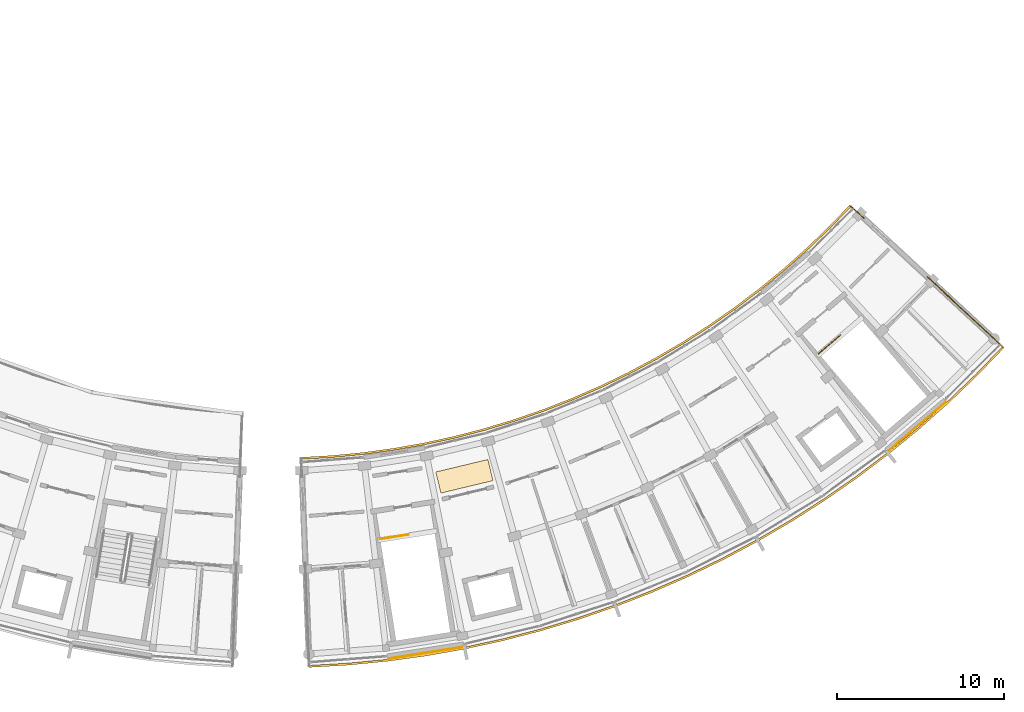
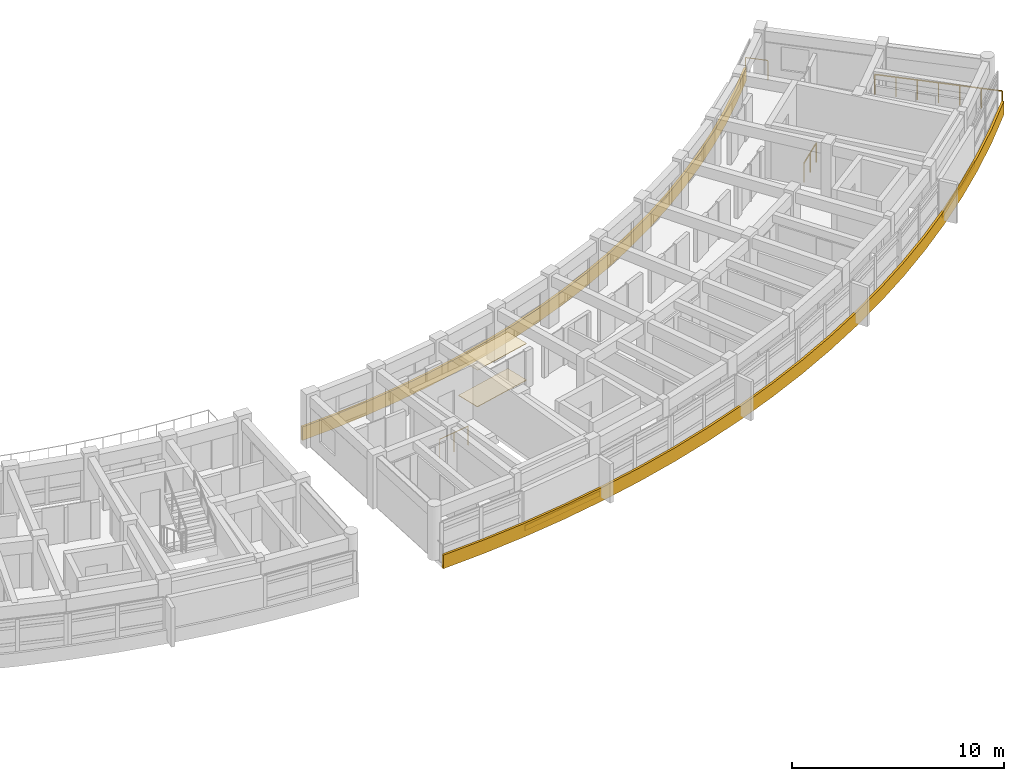
# One storey, part 54 of 54: 6 railings, 4 coverings.
"""IFC4 building model written with IfcOpenShell, lengths in metres."""

from ifc_helpers import new_model, si_unit, direction, frame, origin, origin_2d, place, context, subcontext, project, spatial, polyline, rectangle, circle, outline, extrude, material, layer, layer_set, type_object, element, save


model = new_model("IFC4")

# Units and contexts
model_context = context("Model", 3, precision=1e-05, world=origin(), true_north=direction((0.0, 1.0)))
body_context = subcontext(model_context, "Body", "Model", "MODEL_VIEW")
ifc_project = project(units=[si_unit("LENGTHUNIT", "METRE"), si_unit("AREAUNIT", "SQUARE_METRE"), si_unit("VOLUMEUNIT", "CUBIC_METRE"), si_unit("PLANEANGLEUNIT", "RADIAN"), si_unit("MASSUNIT", "GRAM", prefix="KILO")], contexts=[model_context])

# Site, building, storey
site_placement = place(None, origin())
site = spatial("IfcSite", under=ifc_project, at=site_placement, CompositionType="ELEMENT")
building_placement = place(site_placement, origin())
building = spatial("IfcBuilding", under=site, at=building_placement, Name="Zimvara Arc Housing Community", CompositionType="ELEMENT")
storey_placement = place(building_placement, frame((0.0, 0.0, 23.60009765625)))
storey = spatial("IfcBuildingStorey", under=building, at=storey_placement, Name="L07", CompositionType="ELEMENT", Elevation=23.60009765625)

# Coverings
ifc_material_1 = material(Name="Pale-Gold Anodised Aluminium Cladding", Category="aluminium")
ifc_layer_1 = layer(ifc_material_1, 0.0400390625)
ifc_layer_set_1 = layer_set([ifc_layer_1], Name="Pale-Gold Anodised Aluminium Cladding")
covering_type_1 = type_object("IfcCoveringType", Name="CLD-GOLD-01", PredefinedType="CLADDING", material=ifc_layer_set_1)
covering_1_placement = place(storey_placement, frame((164.56298828125, 64.605224609375, 0.009765625), z_axis=(0.0, 0.0, 1.0), x_axis=(0.760971293982, 0.648785549882, 0.0)))
element("IfcCovering", 1, at=covering_1_placement, inside=storey, type_object=covering_type_1, Name="cld:blkD:L07:out:b8", PredefinedType="CLADDING", context=body_context, shape_type="SweptSolid", body=[
    extrude(rectangle(XDim=4.5625, YDim=0.0400390625, at=origin_2d()), origin(), (0.0, 0.0, 1.0), 0.300048828125),
])
ifc_material_2 = material(Name="Pale-Gold Anodised Aluminium Cladding", Category="aluminium")
ifc_layer_2 = layer(ifc_material_2, 0.044921875)
ifc_layer_set_2 = layer_set([ifc_layer_2], Name="Pale-Gold Anodised Aluminium Cladding")
covering_type_2 = type_object("IfcCoveringType", Name="CLD-GOLD-02", PredefinedType="CLADDING", material=ifc_layer_set_2)
covering_2_placement = place(storey_placement, frame((135.23583984375, 51.088623046875, 0.009765625), z_axis=(0.0, 0.0, 1.0), x_axis=(0.987824479318, 0.155572484907, 0.0)))
element("IfcCovering", 2, at=covering_2_placement, inside=storey, type_object=covering_type_2, Name="cld:blkD:L07:out:b1", PredefinedType="CLADDING", context=body_context, shape_type="SweptSolid", body=[
    extrude(rectangle(XDim=4.5625, YDim=0.044921875, at=origin_2d()), origin(), (0.0, 0.0, 1.0), 0.300048828125),
])
ifc_material_3 = material(Name="Perforated Acoustic Ceiling Board")
ifc_layer_3 = layer(ifc_material_3, 0.030029296875)
ifc_layer_set_3 = layer_set([ifc_layer_3], Name="Perforated Acoustic Ceiling Board")
covering_type_3 = type_object("IfcCoveringType", Name="COV-CEIL-04", PredefinedType="CEILING", material=ifc_layer_set_3)
covering_3_placement = place(storey_placement, frame((137.53955078125, 61.639404296875, 2.10986328125), z_axis=(0.0, 0.0, 1.0), x_axis=(0.232596722241, -0.972573269632, 0.0)))
element("IfcCovering", 3, at=covering_3_placement, inside=storey, type_object=covering_type_3, Name="ceil:blkD:L07", PredefinedType="CEILING", context=body_context, shape_type="SweptSolid", body=[
    extrude(rectangle(XDim=1.300048828125, YDim=3.199951171875, at=origin_2d()), origin(), (0.0, 0.0, 1.0), 0.030029296875),
])
ifc_material_4 = material(Name="Polished Coastal Sand Terrazzo")
ifc_layer_4 = layer(ifc_material_4, 0.031982421875)
ifc_layer_set_4 = layer_set([ifc_layer_4], Name="Polished Coastal Sand Terrazzo")
covering_type_4 = type_object("IfcCoveringType", Name="COV-FLOR-04", PredefinedType="FLOORING", material=ifc_layer_set_4)
covering_4_placement = place(storey_placement, frame((137.53955078125, 61.639404296875, 0.0), z_axis=(0.0, 0.0, 1.0), x_axis=(0.232596722241, -0.972573269632, 0.0)))
element("IfcCovering", 4, at=covering_4_placement, inside=storey, type_object=covering_type_4, Name="flor:blkD:L07", PredefinedType="FLOORING", context=body_context, shape_type="SweptSolid", body=[
    extrude(rectangle(XDim=1.300048828125, YDim=3.199951171875, at=origin_2d()), origin(), (0.0, 0.0, 1.0), 0.031982421875),
])

# Railings
ifc_material_5 = material(Name="Anodised Aluminium AW-6063", Category="aluminium")
railing_type_1 = type_object("IfcRailingType", Name="RLG-BAL-1120", PredefinedType="BALUSTRADE", material=ifc_material_5)
railing_1_placement = place(storey_placement, frame((132.504150390625, 57.892333984375, 0.0)))
element("IfcRailing", 5, at=railing_1_placement, inside=storey, type_object=railing_type_1, Name="L07 ST-D1 top well guard 1", PredefinedType="BALUSTRADE", context=body_context, shape_type="SweptSolid", body=[
    extrude(circle(Radius=0.02392578125, at=origin_2d()), frame((0.0, 0.0, 1.09619140625), z_axis=(0.987823889533, 0.155576229764, 0.0), x_axis=(-0.155576229764, 0.987823889533, 0.0)), (0.0, 0.0, 1.0), 1.719970703125),
    extrude(circle(Radius=0.02099609375, at=origin_2d()), origin(), (0.0, 0.0, 1.0), 1.072021484375),
    extrude(circle(Radius=0.02099609375, at=origin_2d()), frame((0.849609375, 0.1337890625, 0.0)), (0.0, 0.0, 1.0), 1.072021484375),
    extrude(circle(Radius=0.02099609375, at=origin_2d()), frame((1.698974609375, 0.267578125, 0.0)), (0.0, 0.0, 1.0), 1.072021484375),
])
railing_2_placement = place(storey_placement, frame((158.69580078125, 68.958984375, 0.0)))
element("IfcRailing", 6, at=railing_2_placement, inside=storey, type_object=railing_type_1, Name="L07 ST-D2 top well guard 1", PredefinedType="BALUSTRADE", context=body_context, shape_type="SweptSolid", body=[
    extrude(circle(Radius=0.02392578125, at=origin_2d()), frame((0.0, 0.0, 1.09619140625), z_axis=(0.760947308588, 0.648813681693, 0.0), x_axis=(-0.648813681693, 0.760947308588, 0.0)), (0.0, 0.0, 1.0), 1.719970703125),
    extrude(circle(Radius=0.02099609375, at=origin_2d()), origin(), (0.0, 0.0, 1.0), 1.072021484375),
    extrude(circle(Radius=0.02099609375, at=origin_2d()), frame((0.654296875, 0.55810546875, 0.0)), (0.0, 0.0, 1.0), 1.072021484375),
    extrude(circle(Radius=0.02099609375, at=origin_2d()), frame((1.308837890625, 1.115966796875, 0.0)), (0.0, 0.0, 1.0), 1.072021484375),
])
ifc_material_6 = material(Name="Anodised Aluminium AW-6063", Category="aluminium")
railing_type_2 = type_object("IfcRailingType", Name="RLG-BAL-1150", PredefinedType="BALUSTRADE", material=ifc_material_6)
railing_3_placement = place(storey_placement, frame((160.612060546875, 77.790283203125, 0.0)))
element("IfcRailing", 7, at=railing_3_placement, inside=storey, type_object=railing_type_2, Name="rlg:blkD:L07:gable_in:gN", PredefinedType="BALUSTRADE", context=body_context, shape_type="SweptSolid", body=[
    extrude(circle(Radius=0.02392578125, at=origin_2d()), frame((0.0, 0.0, 1.1259765625), z_axis=(0.733823282614, -0.679340407965, 0.0), x_axis=(0.679340407965, 0.733823282614, 0.0)), (0.0, 0.0, 1.0), 1.079833984375),
    extrude(circle(Radius=0.02099609375, at=origin_2d()), origin(), (0.0, 0.0, 1.0), 1.101806640625),
    extrude(circle(Radius=0.02099609375, at=origin_2d()), frame((0.79248046875, -0.733642578125, 0.0)), (0.0, 0.0, 1.0), 1.101806640625),
])
railing_4_placement = place(storey_placement, frame((165.1904296875, 73.550537109375, 0.0)))
element("IfcRailing", 8, at=railing_4_placement, inside=storey, type_object=railing_type_2, Name="rlg:blkD:L07:gable_out:gN", PredefinedType="BALUSTRADE", context=body_context, shape_type="SweptSolid", body=[
    extrude(circle(Radius=0.02392578125, at=origin_2d()), frame((0.0, 0.0, 1.1259765625), z_axis=(0.733734329214, -0.67943648278, 0.0), x_axis=(0.67943648278, 0.733734329214, 0.0)), (0.0, 0.0, 1.0), 6.159912109375),
    extrude(circle(Radius=0.02099609375, at=origin_2d()), origin(), (0.0, 0.0, 1.0), 1.101806640625),
    extrude(circle(Radius=0.02099609375, at=origin_2d()), frame((0.75341796875, -0.697509765625, 0.0)), (0.0, 0.0, 1.0), 1.101806640625),
    extrude(circle(Radius=0.02099609375, at=origin_2d()), frame((1.506591796875, -1.39501953125, 0.0)), (0.0, 0.0, 1.0), 1.101806640625),
    extrude(circle(Radius=0.02099609375, at=origin_2d()), frame((2.259765625, -2.0927734375, 0.0)), (0.0, 0.0, 1.0), 1.101806640625),
    extrude(circle(Radius=0.02099609375, at=origin_2d()), frame((3.01318359375, -2.790283203125, 0.0)), (0.0, 0.0, 1.0), 1.101806640625),
    extrude(circle(Radius=0.02099609375, at=origin_2d()), frame((3.7666015625, -3.48779296875, 0.0)), (0.0, 0.0, 1.0), 1.101806640625),
    extrude(circle(Radius=0.02099609375, at=origin_2d()), frame((4.519775390625, -4.185302734375, 0.0)), (0.0, 0.0, 1.0), 1.101806640625),
])
ifc_material_7 = material(Name="Pale-Gold Anodised Aluminium AW-6063", Category="aluminium")
railing_type_3 = type_object("IfcRailingType", Name="RLG-FAS-780", PredefinedType="BALUSTRADE", material=ifc_material_7)
railing_5_placement = place(storey_placement, frame((0.0, 0.0, -0.22021484375)))
element("IfcRailing", 9, at=railing_5_placement, inside=storey, type_object=railing_type_3, Name="rlg:blkD:L07:gold_out", PredefinedType="BALUSTRADE", context=body_context, shape_type="SweptSolid", body=[
    extrude(outline(polyline([(128.27099609375, 50.223876953125), (130.610595703125, 50.35986328125), (132.94287109375, 50.587646484375), (135.2646484375, 50.90673828125), (137.572021484375, 51.316650390625), (139.861328125, 51.81689453125), (142.12939453125, 52.406494140625), (144.37255859375, 53.0849609375), (146.58740234375, 53.850830078125), (148.7705078125, 54.702880859375), (150.918212890625, 55.64013671875), (153.02783203125, 56.6611328125), (155.095458984375, 57.763916015625), (157.118408203125, 58.947265625), (159.093017578125, 60.208984375), (161.016845703125, 61.54736328125), (162.88671875, 62.9599609375), (164.699462890625, 64.445068359375), (166.45263671875, 66.000244140625), (168.143310546875, 67.623046875), (169.76904296875, 69.31103515625), (169.680908203125, 69.392578125), (168.05859375, 67.7080078125), (166.37109375, 66.08837890625), (164.62158203125, 64.536376953125), (162.8125, 63.054443359375), (160.946533203125, 61.64453125), (159.026611328125, 60.308837890625), (157.0556640625, 59.049560546875), (155.036865234375, 57.86865234375), (152.973388671875, 56.76806640625), (150.8681640625, 55.749267578125), (148.724609375, 54.81396484375), (146.5458984375, 53.96337890625), (144.335693359375, 53.198974609375), (142.096923828125, 52.52197265625), (139.83349609375, 51.93359375), (137.548583984375, 51.434326171875), (135.245849609375, 51.025146484375), (132.928955078125, 50.706787109375), (130.601318359375, 50.4794921875), (128.266357421875, 50.343994140625), (128.27099609375, 50.223876953125)])), origin(), (0.0, 0.0, 1.0), 0.780029296875),
])
railing_6_placement = place(storey_placement, frame((0.0, 0.0, -0.22021484375)))
element("IfcRailing", 10, at=railing_6_placement, inside=storey, type_object=railing_type_3, Name="rlg:blkD:L07:gold_in", PredefinedType="BALUSTRADE", context=body_context, shape_type="SweptSolid", body=[
    extrude(outline(polyline([(127.79345703125, 62.65478515625), (129.645263671875, 62.762451171875), (131.491455078125, 62.942626953125), (133.329345703125, 63.195068359375), (135.155517578125, 63.519775390625), (136.9677734375, 63.91552734375), (138.76318359375, 64.38232421875), (140.538818359375, 64.91943359375), (142.2919921875, 65.525634765625), (144.019775390625, 66.2001953125), (145.719970703125, 66.942138671875), (147.389892578125, 67.750244140625), (149.026611328125, 68.623046875), (150.627685546875, 69.559814453125), (152.19091796875, 70.55859375), (153.713623046875, 71.617919921875), (155.193603515625, 72.736083984375), (156.628662109375, 73.91162109375), (158.016357421875, 75.142578125), (159.3544921875, 76.42724609375), (160.641357421875, 77.76318359375), (160.553466796875, 77.8447265625), (159.269775390625, 76.511962890625), (157.934814453125, 75.230712890625), (156.55078125, 74.0029296875), (155.119384765625, 72.830322265625), (153.64306640625, 71.71484375), (152.124267578125, 70.658203125), (150.56494140625, 69.662109375), (148.968017578125, 68.72802734375), (147.33544921875, 67.857177734375), (145.669921875, 67.051025390625), (143.97412109375, 66.31103515625), (142.25048828125, 65.63818359375), (140.501708984375, 65.033447265625), (138.730712890625, 64.498046875), (136.93994140625, 64.0322265625), (135.13232421875, 63.637451171875), (133.310546875, 63.313720703125), (131.4775390625, 63.061767578125), (129.635986328125, 62.882080078125), (127.788818359375, 62.774658203125), (127.79345703125, 62.65478515625)])), origin(), (0.0, 0.0, 1.0), 0.780029296875),
])

save(model, "model.ifc")
